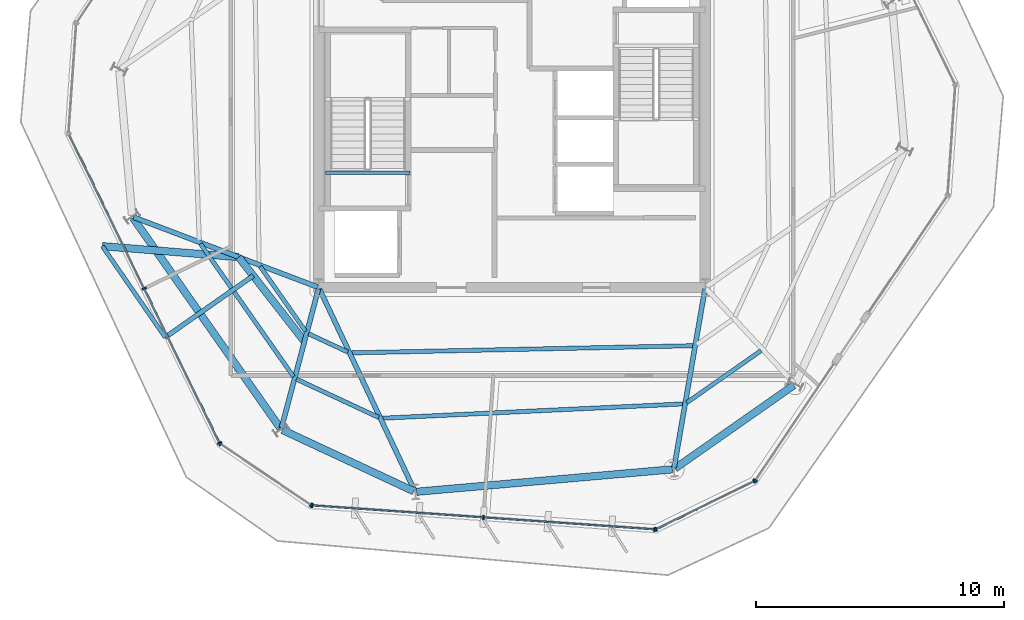
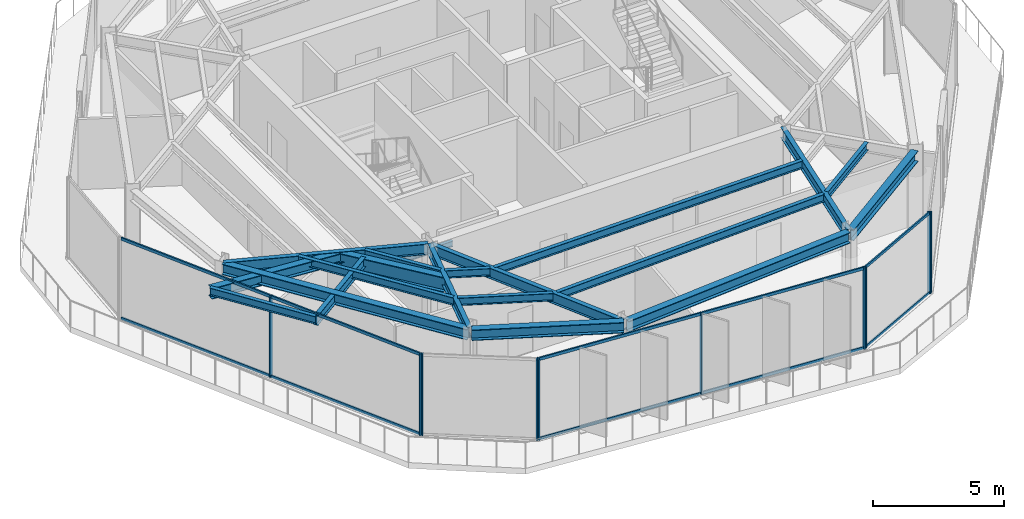
# One storey, part 2 of 12: 20 beams, 20 members, 5 elements without a shape of their own.
"""IFC4 building model written with IfcOpenShell, lengths in metres."""

from ifc_helpers import new_model, si_unit, direction, frame, origin, origin_2d, place, context, subcontext, project, spatial, rectangle, i_section, extrude, material, layer, layer_set, material_profile, profile_set, type_object, element, aggregate, save


model = new_model("IFC4")

# Units and contexts
model_context = context("Model", 3, precision=1e-05, world=origin(), true_north=direction((0.0, 1.0)))
body_context = subcontext(model_context, "Body", "Model", "MODEL_VIEW")
ifc_project = project(units=[si_unit("LENGTHUNIT", "METRE"), si_unit("AREAUNIT", "SQUARE_METRE"), si_unit("VOLUMEUNIT", "CUBIC_METRE"), si_unit("PLANEANGLEUNIT", "RADIAN"), si_unit("MASSUNIT", "GRAM", prefix="KILO")], contexts=[model_context])

# Site, building, storey
site_placement = place(None, origin())
site = spatial("IfcSite", under=ifc_project, at=site_placement, CompositionType="ELEMENT")
building_placement = place(site_placement, origin())
building = spatial("IfcBuilding", under=site, at=building_placement, Name="Kranzbogen Civic Tower", CompositionType="ELEMENT")
storey_placement = place(building_placement, frame((0.0, 0.0, 250.199951171875)))
storey = spatial("IfcBuildingStorey", under=building, at=storey_placement, Name="L60", CompositionType="ELEMENT", Elevation=250.199951171875)

# Beam
ifc_material_1 = material(Name="Steel S355", Category="steel")
ifc_material_profile_1 = material_profile(ifc_material_1, i_section(OverallWidth=0.18994140625, OverallDepth=0.449951171875, WebThickness=0.009521484375, FlangeThickness=0.0146484375, at=origin_2d()), Name="IPE 450")
ifc_profile_set_1 = profile_set([ifc_material_profile_1], Name="Steel S355")
beam_type_1 = type_object("IfcBeamType", Name="Braced Terrace Edge Beam IPE 450", PredefinedType="BEAM", material=ifc_profile_set_1)
beam_1_placement = place(storey_placement, frame((14.552978515625, 18.27587890625, 3.525146484375), z_axis=(-0.819112846039, -0.573632413183, 0.0), x_axis=(0.573632413183, -0.819112846039, 0.0)))
element("IfcBeam", 1, at=beam_1_placement, inside=storey, type_object=beam_type_1, Name="L61 back-spanned terrace beam L61-TB1-2", PredefinedType="BEAM", context=body_context, shape_type="SweptSolid", body=[
    extrude(i_section(OverallWidth=0.18994140625, OverallDepth=0.449951171875, WebThickness=0.009521484375, FlangeThickness=0.0146484375, at=origin_2d()), origin(), (0.0, 0.0, 1.0), 4.335205078125),
])

# Curtain wall, members
ifc_material_2 = material(Name="Pale Anodised Aluminium", Category="aluminium")
ifc_layer_1 = layer(ifc_material_2, 0.219970703125, Name="Pale Anodised Aluminium")
ifc_layer_set_1 = layer_set([ifc_layer_1], Name="Pale Anodised Aluminium")
curtain_wall_type_1 = type_object("IfcCurtainWallType", Name="Chamfer Facet Stick Curtain Wall System CW-06", PredefinedType="USERDEFINED", material=ifc_layer_set_1)
curtain_wall_1_placement = place(storey_placement, origin())
curtain_wall_1 = element("IfcCurtainWall", 2, at=curtain_wall_1_placement, inside=storey, type_object=curtain_wall_type_1, Name="L60 curtain wall CW-L60-C3", ObjectType="STICK CURTAIN WALL", PredefinedType="USERDEFINED")
ifc_material_profile_2 = material_profile(ifc_material_2, rectangle(XDim=0.06005859375, YDim=0.159912109375, at=origin_2d()), Name="ALU-M 60x160")
ifc_profile_set_2 = profile_set([ifc_material_profile_2], Name="Pale Anodised Aluminium")
member_type_1 = type_object("IfcMemberType", Name="Curtain Wall Mullion ALU-M 60x160", PredefinedType="MULLION", material=ifc_profile_set_2)
member_1_placement = place(storey_placement, frame((13.226806640625, 11.484130859375, 0.0), z_axis=(0.0, 0.0, 1.0), x_axis=(0.829144558925, -0.559034256915, 0.0)))
member_1 = element("IfcMember", 3, at=member_1_placement, type_object=member_type_1, Name="CW-06 mullion 1", PredefinedType="MULLION", context=body_context, shape_type="SweptSolid", body=[
    extrude(rectangle(XDim=0.06005859375, YDim=0.159912109375, at=origin_2d()), origin(), (0.0, 0.0, 1.0), 3.780029296875),
])
member_2_placement = place(storey_placement, frame((16.879150390625, 9.021728515625, 0.0), z_axis=(0.0, 0.0, 1.0), x_axis=(0.829144558925, -0.559034256915, 0.0)))
member_2 = element("IfcMember", 4, at=member_2_placement, type_object=member_type_1, Name="CW-06 mullion 2", PredefinedType="MULLION", context=body_context, shape_type="SweptSolid", body=[
    extrude(rectangle(XDim=0.06005859375, YDim=0.159912109375, at=origin_2d()), origin(), (0.0, 0.0, 1.0), 3.780029296875),
])
aggregate(curtain_wall_1, [member_1, member_2])

curtain_wall_2_placement = place(storey_placement, origin())
curtain_wall_2 = element("IfcCurtainWall", 5, at=curtain_wall_2_placement, inside=storey, type_object=curtain_wall_type_1, Name="L60 curtain wall CW-L60-C4", ObjectType="STICK CURTAIN WALL", PredefinedType="USERDEFINED")
member_3_placement = place(storey_placement, frame((30.81787109375, 8.046142578125, 0.0), z_axis=(0.0, 0.0, 1.0), x_axis=(0.898729699392, 0.438503052931, 0.0)))
member_3 = element("IfcMember", 6, at=member_3_placement, type_object=member_type_1, Name="CW-06 mullion 1", PredefinedType="MULLION", context=body_context, shape_type="SweptSolid", body=[
    extrude(rectangle(XDim=0.06005859375, YDim=0.159912109375, at=origin_2d()), origin(), (0.0, 0.0, 1.0), 3.780029296875),
])
member_4_placement = place(storey_placement, frame((34.777099609375, 9.977783203125, 0.0), z_axis=(0.0, 0.0, 1.0), x_axis=(0.898729699392, 0.438503052931, 0.0)))
member_4 = element("IfcMember", 7, at=member_4_placement, type_object=member_type_1, Name="CW-06 mullion 2", PredefinedType="MULLION", context=body_context, shape_type="SweptSolid", body=[
    extrude(rectangle(XDim=0.06005859375, YDim=0.159912109375, at=origin_2d()), origin(), (0.0, 0.0, 1.0), 3.780029296875),
])

ifc_layer_2 = layer(ifc_material_2, 0.219970703125, Name="Pale Anodised Aluminium")
ifc_layer_set_2 = layer_set([ifc_layer_2], Name="Pale Anodised Aluminium")
curtain_wall_type_2 = type_object("IfcCurtainWallType", Name="Zone 4 Stick Curtain Wall System CW-05", PredefinedType="USERDEFINED", material=ifc_layer_set_2)
curtain_wall_3_placement = place(storey_placement, origin())
curtain_wall_3 = element("IfcCurtainWall", 8, at=curtain_wall_3_placement, inside=storey, type_object=curtain_wall_type_2, Name="L60 curtain wall CW-L60-F3", ObjectType="STICK CURTAIN WALL", PredefinedType="USERDEFINED")
ifc_material_profile_3 = material_profile(ifc_material_2, rectangle(XDim=0.06494140625, YDim=0.179931640625, at=origin_2d()), Name="ALU-M 65x180")
ifc_profile_set_3 = profile_set([ifc_material_profile_3], Name="Pale Anodised Aluminium")
member_type_2 = type_object("IfcMemberType", Name="Curtain Wall Mullion ALU-M 65x180", PredefinedType="MULLION", material=ifc_profile_set_3)
member_5_placement = place(storey_placement, frame((10.15087890625, 17.757568359375, 0.0), z_axis=(0.0, 0.0, 1.0), x_axis=(0.438313241506, -0.898822286284, 0.0)))
member_5 = element("IfcMember", 9, at=member_5_placement, type_object=member_type_2, Name="CW-05 mullion 2", PredefinedType="MULLION", context=body_context, shape_type="SweptSolid", body=[
    extrude(rectangle(XDim=0.06494140625, YDim=0.179931640625, at=origin_2d()), origin(), (0.0, 0.0, 1.0), 3.780029296875),
])
member_6_placement = place(storey_placement, frame((13.18896484375, 11.528076171875, 0.0), z_axis=(0.0, 0.0, 1.0), x_axis=(0.438313241506, -0.898822286284, 0.0)))
member_6 = element("IfcMember", 10, at=member_6_placement, type_object=member_type_2, Name="CW-05 mullion 3", PredefinedType="MULLION", context=body_context, shape_type="SweptSolid", body=[
    extrude(rectangle(XDim=0.06494140625, YDim=0.179931640625, at=origin_2d()), origin(), (0.0, 0.0, 1.0), 3.780029296875),
])

curtain_wall_4_placement = place(storey_placement, origin())
curtain_wall_4 = element("IfcCurtainWall", 11, at=curtain_wall_4_placement, inside=storey, type_object=curtain_wall_type_2, Name="L60 curtain wall CW-L60-F4", ObjectType="STICK CURTAIN WALL", PredefinedType="USERDEFINED")
member_7_placement = place(storey_placement, frame((16.933837890625, 9.0029296875, 0.0), z_axis=(0.0, 0.0, 1.0), x_axis=(0.997559417469, -0.069822694158, 0.0)))
member_7 = element("IfcMember", 12, at=member_7_placement, type_object=member_type_2, Name="CW-05 mullion 1", PredefinedType="MULLION", context=body_context, shape_type="SweptSolid", body=[
    extrude(rectangle(XDim=0.06494140625, YDim=0.179931640625, at=origin_2d()), origin(), (0.0, 0.0, 1.0), 3.780029296875),
])
member_8_placement = place(storey_placement, frame((23.847412109375, 8.51904296875, 0.0), z_axis=(0.0, 0.0, 1.0), x_axis=(0.997559417469, -0.069822694158, 0.0)))
member_8 = element("IfcMember", 13, at=member_8_placement, type_object=member_type_2, Name="CW-05 mullion 2", PredefinedType="MULLION", context=body_context, shape_type="SweptSolid", body=[
    extrude(rectangle(XDim=0.06494140625, YDim=0.179931640625, at=origin_2d()), origin(), (0.0, 0.0, 1.0), 3.780029296875),
])
member_9_placement = place(storey_placement, frame((30.760986328125, 8.03515625, 0.0), z_axis=(0.0, 0.0, 1.0), x_axis=(0.997559417469, -0.069822694158, 0.0)))
member_9 = element("IfcMember", 14, at=member_9_placement, type_object=member_type_2, Name="CW-05 mullion 3", PredefinedType="MULLION", context=body_context, shape_type="SweptSolid", body=[
    extrude(rectangle(XDim=0.06494140625, YDim=0.179931640625, at=origin_2d()), origin(), (0.0, 0.0, 1.0), 3.780029296875),
])

# Curtain wall, member
curtain_wall_5_placement = place(storey_placement, origin())
curtain_wall_5 = element("IfcCurtainWall", 15, at=curtain_wall_5_placement, inside=storey, type_object=curtain_wall_type_2, Name="L60 curtain wall CW-L60-F5-S1", ObjectType="STICK CURTAIN WALL", PredefinedType="USERDEFINED")
member_10_placement = place(storey_placement, frame((34.82080078125, 10.015869140625, 0.0), z_axis=(0.0, 0.0, 1.0), x_axis=(0.559219373817, 0.829019717466, 0.0)))
member_10 = element("IfcMember", 16, at=member_10_placement, type_object=member_type_2, Name="CW-05 mullion 1", PredefinedType="MULLION", context=body_context, shape_type="SweptSolid", body=[
    extrude(rectangle(XDim=0.06494140625, YDim=0.179931640625, at=origin_2d()), origin(), (0.0, 0.0, 1.0), 3.780029296875),
])
aggregate(curtain_wall_5, [member_10])

# Member
ifc_material_profile_4 = material_profile(ifc_material_2, rectangle(XDim=0.06005859375, YDim=0.1201171875, at=origin_2d()), Name="ALU-T 60x120")
ifc_profile_set_4 = profile_set([ifc_material_profile_4], Name="Pale Anodised Aluminium")
member_type_3 = type_object("IfcMemberType", Name="Curtain Wall Transom ALU-T 60x120", PredefinedType="USERDEFINED", material=ifc_profile_set_4)
member_11_placement = place(storey_placement, frame((30.844970703125, 8.059326171875, 0.030029296875), z_axis=(0.898733881974, 0.438494480458, 0.0), x_axis=(-0.438494480458, 0.898733881974, 0.0)))
member_11 = element("IfcMember", 17, at=member_11_placement, type_object=member_type_3, Name="CW-06 transom 1.1", ObjectType="TRANSOM", PredefinedType="USERDEFINED", context=body_context, shape_type="SweptSolid", body=[
    extrude(rectangle(XDim=0.06005859375, YDim=0.1201171875, at=origin_2d()), origin(), (0.0, 0.0, 1.0), 4.344970703125),
])

member_12_placement = place(storey_placement, frame((30.844970703125, 8.059326171875, 3.75), z_axis=(0.898733881974, 0.438494480458, 0.0), x_axis=(-0.438494480458, 0.898733881974, 0.0)))
member_12 = element("IfcMember", 18, at=member_12_placement, type_object=member_type_3, Name="CW-06 transom 1.2", ObjectType="TRANSOM", PredefinedType="USERDEFINED", context=body_context, shape_type="SweptSolid", body=[
    extrude(rectangle(XDim=0.06005859375, YDim=0.1201171875, at=origin_2d()), origin(), (0.0, 0.0, 1.0), 4.344970703125),
])

aggregate(curtain_wall_2, [member_3, member_4, member_11, member_12])

ifc_material_profile_5 = material_profile(ifc_material_2, rectangle(XDim=0.06494140625, YDim=0.135009765625, at=origin_2d()), Name="ALU-T 65x135")
ifc_profile_set_5 = profile_set([ifc_material_profile_5], Name="Pale Anodised Aluminium")
member_type_4 = type_object("IfcMemberType", Name="Curtain Wall Transom ALU-T 65x135", PredefinedType="USERDEFINED", material=ifc_profile_set_5)
member_13_placement = place(storey_placement, frame((7.126220703125, 23.9599609375, 0.030029296875), z_axis=(0.438336820516, -0.89881078753, 0.0), x_axis=(0.89881078753, 0.438336820516, 0.0)))
member_13 = element("IfcMember", 19, at=member_13_placement, type_object=member_type_4, Name="CW-05 transom 1.1", ObjectType="TRANSOM", PredefinedType="USERDEFINED", context=body_context, shape_type="SweptSolid", body=[
    extrude(rectangle(XDim=0.06494140625, YDim=0.135009765625, at=origin_2d()), origin(), (0.0, 0.0, 1.0), 6.870849609375),
])

member_14_placement = place(storey_placement, frame((7.126220703125, 23.9599609375, 3.75), z_axis=(0.438336820516, -0.89881078753, 0.0), x_axis=(0.89881078753, 0.438336820516, 0.0)))
member_14 = element("IfcMember", 20, at=member_14_placement, type_object=member_type_4, Name="CW-05 transom 1.2", ObjectType="TRANSOM", PredefinedType="USERDEFINED", context=body_context, shape_type="SweptSolid", body=[
    extrude(rectangle(XDim=0.06494140625, YDim=0.135009765625, at=origin_2d()), origin(), (0.0, 0.0, 1.0), 6.870849609375),
])

member_15_placement = place(storey_placement, frame((10.1640625, 17.73046875, 0.030029296875), z_axis=(0.438336820516, -0.89881078753, 0.0), x_axis=(0.89881078753, 0.438336820516, 0.0)))
member_15 = element("IfcMember", 21, at=member_15_placement, type_object=member_type_4, Name="CW-05 transom 2.1", ObjectType="TRANSOM", PredefinedType="USERDEFINED", context=body_context, shape_type="SweptSolid", body=[
    extrude(rectangle(XDim=0.06494140625, YDim=0.135009765625, at=origin_2d()), origin(), (0.0, 0.0, 1.0), 6.870849609375),
])

member_16_placement = place(storey_placement, frame((10.1640625, 17.73046875, 3.75), z_axis=(0.438336820516, -0.89881078753, 0.0), x_axis=(0.89881078753, 0.438336820516, 0.0)))
member_16 = element("IfcMember", 22, at=member_16_placement, type_object=member_type_4, Name="CW-05 transom 2.2", ObjectType="TRANSOM", PredefinedType="USERDEFINED", context=body_context, shape_type="SweptSolid", body=[
    extrude(rectangle(XDim=0.06494140625, YDim=0.135009765625, at=origin_2d()), origin(), (0.0, 0.0, 1.0), 6.870849609375),
])

aggregate(curtain_wall_3, [member_5, member_6, member_13, member_14, member_15, member_16])

member_17_placement = place(storey_placement, frame((16.9638671875, 9.000732421875, 0.030029296875), z_axis=(0.997559239415, -0.069825237967, 0.0), x_axis=(0.069825237967, 0.997559239415, 0.0)))
member_17 = element("IfcMember", 23, at=member_17_placement, type_object=member_type_4, Name="CW-05 transom 1.1", ObjectType="TRANSOM", PredefinedType="USERDEFINED", context=body_context, shape_type="SweptSolid", body=[
    extrude(rectangle(XDim=0.06494140625, YDim=0.135009765625, at=origin_2d()), origin(), (0.0, 0.0, 1.0), 6.87060546875),
])

member_18_placement = place(storey_placement, frame((16.9638671875, 9.000732421875, 3.75), z_axis=(0.997559239415, -0.069825237967, 0.0), x_axis=(0.069825237967, 0.997559239415, 0.0)))
member_18 = element("IfcMember", 24, at=member_18_placement, type_object=member_type_4, Name="CW-05 transom 1.2", ObjectType="TRANSOM", PredefinedType="USERDEFINED", context=body_context, shape_type="SweptSolid", body=[
    extrude(rectangle(XDim=0.06494140625, YDim=0.135009765625, at=origin_2d()), origin(), (0.0, 0.0, 1.0), 6.87060546875),
])

member_19_placement = place(storey_placement, frame((23.87744140625, 8.516845703125, 0.030029296875), z_axis=(0.997559239415, -0.069825237967, 0.0), x_axis=(0.069825237967, 0.997559239415, 0.0)))
member_19 = element("IfcMember", 25, at=member_19_placement, type_object=member_type_4, Name="CW-05 transom 2.1", ObjectType="TRANSOM", PredefinedType="USERDEFINED", context=body_context, shape_type="SweptSolid", body=[
    extrude(rectangle(XDim=0.06494140625, YDim=0.135009765625, at=origin_2d()), origin(), (0.0, 0.0, 1.0), 6.87060546875),
])

member_20_placement = place(storey_placement, frame((23.87744140625, 8.516845703125, 3.75), z_axis=(0.997559239415, -0.069825237967, 0.0), x_axis=(0.069825237967, 0.997559239415, 0.0)))
member_20 = element("IfcMember", 26, at=member_20_placement, type_object=member_type_4, Name="CW-05 transom 2.2", ObjectType="TRANSOM", PredefinedType="USERDEFINED", context=body_context, shape_type="SweptSolid", body=[
    extrude(rectangle(XDim=0.06494140625, YDim=0.135009765625, at=origin_2d()), origin(), (0.0, 0.0, 1.0), 6.87060546875),
])

aggregate(curtain_wall_4, [member_7, member_8, member_9, member_17, member_18, member_19, member_20])

# Beams
ifc_material_profile_6 = material_profile(ifc_material_1, i_section(OverallWidth=0.300048828125, OverallDepth=0.5, WebThickness=0.014404296875, FlangeThickness=0.028076171875, at=origin_2d()), Name="HEB 500")
ifc_profile_set_6 = profile_set([ifc_material_profile_6], Name="Steel S355")
beam_type_2 = type_object("IfcBeamType", Name="Perimeter Tube Spandrel Beam HEB 500", PredefinedType="SPANDREL", material=ifc_profile_set_6)
beam_2_placement = place(storey_placement, frame((9.699951171875, 20.612060546875, 3.530029296875), z_axis=(0.573577759301, -0.819151117948, 0.0), x_axis=(0.819151117948, 0.573577759301, 0.0)))
element("IfcBeam", 27, at=beam_2_placement, inside=storey, type_object=beam_type_2, Name="L60 perimeter spandrel beam 01", PredefinedType="SPANDREL", context=body_context, shape_type="SweptSolid", body=[
    extrude(i_section(OverallWidth=0.300048828125, OverallDepth=0.5, WebThickness=0.014404296875, FlangeThickness=0.028076171875, at=origin_2d()), origin(), (0.0, 0.0, 1.0), 10.36328125),
])
beam_3_placement = place(storey_placement, frame((15.73193359375, 12.049072265625, 3.530029296875), z_axis=(0.906289661556, -0.422657129784, 0.0), x_axis=(0.422657129784, 0.906289661556, 0.0)))
element("IfcBeam", 28, at=beam_3_placement, inside=storey, type_object=beam_type_2, Name="L60 perimeter spandrel beam 02", PredefinedType="SPANDREL", context=body_context, shape_type="SweptSolid", body=[
    extrude(i_section(OverallWidth=0.300048828125, OverallDepth=0.5, WebThickness=0.014404296875, FlangeThickness=0.028076171875, at=origin_2d()), origin(), (0.0, 0.0, 1.0), 5.853759765625),
])
beam_4_placement = place(storey_placement, frame((21.15087890625, 9.554931640625, 3.530029296875), z_axis=(0.996186373839, 0.087250837114, 0.0), x_axis=(-0.087250837114, 0.996186373839, 0.0)))
element("IfcBeam", 29, at=beam_4_placement, inside=storey, type_object=beam_type_2, Name="L60 perimeter spandrel beam 03", PredefinedType="SPANDREL", context=body_context, shape_type="SweptSolid", body=[
    extrude(i_section(OverallWidth=0.300048828125, OverallDepth=0.5, WebThickness=0.014404296875, FlangeThickness=0.028076171875, at=origin_2d()), origin(), (0.0, 0.0, 1.0), 10.361572265625),
])
beam_5_placement = place(storey_placement, frame((31.58203125, 10.498046875, 3.530029296875), z_axis=(0.819059436004, 0.57370867197, 0.0), x_axis=(-0.57370867197, 0.819059436004, 0.0)))
element("IfcBeam", 30, at=beam_5_placement, inside=storey, type_object=beam_type_2, Name="L60 perimeter spandrel beam 04", PredefinedType="SPANDREL", context=body_context, shape_type="SweptSolid", body=[
    extrude(i_section(OverallWidth=0.300048828125, OverallDepth=0.5, WebThickness=0.014404296875, FlangeThickness=0.028076171875, at=origin_2d()), origin(), (0.0, 0.0, 1.0), 5.85302734375),
])
beam_6_placement = place(storey_placement, frame((13.966064453125, 19.028076171875, 3.5), z_axis=(-0.996804299094, 0.079882346653, 0.0), x_axis=(-0.079882346653, -0.996804299094, 0.0)))
element("IfcBeam", 31, at=beam_6_placement, inside=storey, type_object=beam_type_2, Name="L61 back-spanned terrace beam L61-TB1-1", PredefinedType="SPANDREL", context=body_context, shape_type="SweptSolid", body=[
    extrude(i_section(OverallWidth=0.300048828125, OverallDepth=0.5, WebThickness=0.014404296875, FlangeThickness=0.028076171875, at=origin_2d()), origin(), (0.0, 0.0, 1.0), 5.51953125),
])
ifc_material_profile_7 = material_profile(ifc_material_1, i_section(OverallWidth=0.300048828125, OverallDepth=0.699951171875, WebThickness=0.01708984375, FlangeThickness=0.031982421875, at=origin_2d()), Name="HEB 700")
ifc_profile_set_7 = profile_set([ifc_material_profile_7], Name="Steel S355")
beam_type_3 = type_object("IfcBeamType", Name="Perimeter Tube Spandrel Beam HEB 700", PredefinedType="SPANDREL", material=ifc_profile_set_7)
beam_7_placement = place(storey_placement, frame((13.966064453125, 19.028076171875, 3.400146484375), z_axis=(0.615153431403, -0.788407417414, 0.0), x_axis=(0.788407417414, 0.615153431403, 0.0)))
element("IfcBeam", 32, at=beam_7_placement, inside=storey, type_object=beam_type_3, Name="L61 balcony back-span header girder L61-TB1", PredefinedType="SPANDREL", context=body_context, shape_type="SweptSolid", body=[
    extrude(i_section(OverallWidth=0.300048828125, OverallDepth=0.699951171875, WebThickness=0.01708984375, FlangeThickness=0.031982421875, at=origin_2d()), origin(), (0.0, 0.0, 1.0), 4.317626953125),
])
ifc_material_profile_8 = material_profile(ifc_material_1, i_section(OverallWidth=0.199951171875, OverallDepth=0.5, WebThickness=0.01025390625, FlangeThickness=0.01611328125, at=origin_2d()), Name="IPE 500")
ifc_profile_set_8 = profile_set([ifc_material_profile_8], Name="Steel S355")
beam_type_4 = type_object("IfcBeamType", Name="Radial Tower Floor Girder IPE 500", PredefinedType="BEAM", material=ifc_profile_set_8)
beam_8_placement = place(storey_placement, frame((9.721923828125, 20.639892578125, 3.530029296875), z_axis=(0.934848709689, -0.355046320913, 0.0), x_axis=(0.355046320913, 0.934848709689, 0.0)))
element("IfcBeam", 33, at=beam_8_placement, inside=storey, type_object=beam_type_4, Name="L60 radial floor girder 01", PredefinedType="BEAM", context=body_context, shape_type="SweptSolid", body=[
    extrude(i_section(OverallWidth=0.199951171875, OverallDepth=0.5, WebThickness=0.01025390625, FlangeThickness=0.01611328125, at=origin_2d()), origin(), (0.0, 0.0, 1.0), 7.939453125),
])
beam_9_placement = place(storey_placement, frame((15.693115234375, 12.132080078125, 3.530029296875), z_axis=(0.257016017622, 0.966407143333, 0.0), x_axis=(-0.966407143333, 0.257016017622, 0.0)))
element("IfcBeam", 34, at=beam_9_placement, inside=storey, type_object=beam_type_4, Name="L60 radial floor girder 02", PredefinedType="BEAM", context=body_context, shape_type="SweptSolid", body=[
    extrude(i_section(OverallWidth=0.199951171875, OverallDepth=0.5, WebThickness=0.01025390625, FlangeThickness=0.01611328125, at=origin_2d()), origin(), (0.0, 0.0, 1.0), 5.804931640625),
])
beam_10_placement = place(storey_placement, frame((21.06494140625, 9.60400390625, 3.530029296875), z_axis=(-0.426460441273, 0.904506214478, 0.0), x_axis=(-0.904506214478, -0.426460441273, 0.0)))
element("IfcBeam", 35, at=beam_10_placement, inside=storey, type_object=beam_type_4, Name="L60 radial floor girder 03", PredefinedType="BEAM", context=body_context, shape_type="SweptSolid", body=[
    extrude(i_section(OverallWidth=0.199951171875, OverallDepth=0.5, WebThickness=0.01025390625, FlangeThickness=0.01611328125, at=origin_2d()), origin(), (0.0, 0.0, 1.0), 9.001708984375),
])
beam_11_placement = place(storey_placement, frame((31.54296875, 10.52294921875, 3.530029296875), z_axis=(0.170249558486, 0.985400978199, 0.0), x_axis=(-0.985400978199, 0.170249558486, 0.0)))
element("IfcBeam", 36, at=beam_11_placement, inside=storey, type_object=beam_type_4, Name="L60 radial floor girder 04", PredefinedType="BEAM", context=body_context, shape_type="SweptSolid", body=[
    extrude(i_section(OverallWidth=0.199951171875, OverallDepth=0.5, WebThickness=0.01025390625, FlangeThickness=0.01611328125, at=origin_2d()), origin(), (0.0, 0.0, 1.0), 7.324951171875),
])
ifc_material_profile_9 = material_profile(ifc_material_1, i_section(OverallWidth=0.169921875, OverallDepth=0.360107421875, WebThickness=0.008056640625, FlangeThickness=0.0126953125, at=origin_2d()), Name="IPE 360")
ifc_profile_set_9 = profile_set([ifc_material_profile_9], Name="Steel S355")
beam_type_5 = type_object("IfcBeamType", Name="Secondary Composite Floor Joist IPE 360", PredefinedType="JOIST", material=ifc_profile_set_9)
beam_12_placement = place(storey_placement, frame((12.424072265625, 19.56591796875, 3.60009765625), z_axis=(0.573499872939, -0.819205649235, 0.0), x_axis=(0.819205649235, 0.573499872939, 0.0)))
element("IfcBeam", 37, at=beam_12_placement, inside=storey, type_object=beam_type_5, Name="L60 secondary floor joist 1.01", PredefinedType="JOIST", context=body_context, shape_type="SweptSolid", body=[
    extrude(i_section(OverallWidth=0.169921875, OverallDepth=0.360107421875, WebThickness=0.008056640625, FlangeThickness=0.0126953125, at=origin_2d()), origin(), (0.0, 0.0, 1.0), 6.549072265625),
])
beam_13_placement = place(storey_placement, frame((14.8349609375, 18.64990234375, 3.60009765625), z_axis=(0.573498248491, -0.819206786457, 0.0), x_axis=(0.819206786457, 0.573498248491, 0.0)))
element("IfcBeam", 38, at=beam_13_placement, inside=storey, type_object=beam_type_5, Name="L60 secondary floor joist 2.01", PredefinedType="JOIST", context=body_context, shape_type="SweptSolid", body=[
    extrude(i_section(OverallWidth=0.169921875, OverallDepth=0.360107421875, WebThickness=0.008056640625, FlangeThickness=0.0126953125, at=origin_2d()), origin(), (0.0, 0.0, 1.0), 3.194580078125),
])
beam_14_placement = place(storey_placement, frame((16.298095703125, 14.10205078125, 3.60009765625), z_axis=(0.906303996948, -0.422626389517, 0.0), x_axis=(0.422626389517, 0.906303996948, 0.0)))
element("IfcBeam", 39, at=beam_14_placement, inside=storey, type_object=beam_type_5, Name="L60 secondary floor joist 1.02", PredefinedType="JOIST", context=body_context, shape_type="SweptSolid", body=[
    extrude(i_section(OverallWidth=0.169921875, OverallDepth=0.360107421875, WebThickness=0.008056640625, FlangeThickness=0.0126953125, at=origin_2d()), origin(), (0.0, 0.0, 1.0), 3.6630859375),
])
beam_15_placement = place(storey_placement, frame((16.784912109375, 15.93408203125, 3.60009765625), z_axis=(0.906432174342, -0.422351409751, 0.0), x_axis=(0.422351409751, 0.906432174342, 0.0)))
element("IfcBeam", 40, at=beam_15_placement, inside=storey, type_object=beam_type_5, Name="L60 secondary floor joist 2.02", PredefinedType="JOIST", context=body_context, shape_type="SweptSolid", body=[
    extrude(i_section(OverallWidth=0.169921875, OverallDepth=0.360107421875, WebThickness=0.008056640625, FlangeThickness=0.0126953125, at=origin_2d()), origin(), (0.0, 0.0, 1.0), 1.751953125),
])
beam_16_placement = place(storey_placement, frame((19.77001953125, 12.52392578125, 3.60009765625), z_axis=(0.998871634781, 0.047491654324, 0.0), x_axis=(-0.047491654324, 0.998871634781, 0.0)))
element("IfcBeam", 41, at=beam_16_placement, inside=storey, type_object=beam_type_5, Name="L60 secondary floor joist 1.03", PredefinedType="JOIST", context=body_context, shape_type="SweptSolid", body=[
    extrude(i_section(OverallWidth=0.169921875, OverallDepth=0.360107421875, WebThickness=0.008056640625, FlangeThickness=0.0126953125, at=origin_2d()), origin(), (0.0, 0.0, 1.0), 12.152587890625),
])
beam_17_placement = place(storey_placement, frame((18.52490234375, 15.162109375, 3.60009765625), z_axis=(0.999780746893, 0.020939392104, 0.0), x_axis=(-0.020939392104, 0.999780746893, 0.0)))
element("IfcBeam", 42, at=beam_17_placement, inside=storey, type_object=beam_type_5, Name="L60 secondary floor joist 2.03", PredefinedType="JOIST", context=body_context, shape_type="SweptSolid", body=[
    extrude(i_section(OverallWidth=0.169921875, OverallDepth=0.360107421875, WebThickness=0.008056640625, FlangeThickness=0.0126953125, at=origin_2d()), origin(), (0.0, 0.0, 1.0), 13.79296875),
])
beam_18_placement = place(storey_placement, frame((32.054931640625, 13.15087890625, 3.60009765625), z_axis=(0.819006333711, 0.573784476385, 0.0), x_axis=(-0.573784476385, 0.819006333711, 0.0)))
element("IfcBeam", 43, at=beam_18_placement, inside=storey, type_object=beam_type_5, Name="L60 secondary floor joist 1.04", PredefinedType="JOIST", context=body_context, shape_type="SweptSolid", body=[
    extrude(i_section(OverallWidth=0.169921875, OverallDepth=0.360107421875, WebThickness=0.008056640625, FlangeThickness=0.0126953125, at=origin_2d()), origin(), (0.0, 0.0, 1.0), 3.661865234375),
])
beam_19_placement = place(storey_placement, frame((8.464111328125, 19.468994140625, 3.570068359375), z_axis=(0.56772657446, -0.823217186805, 0.0), x_axis=(0.823217186805, 0.56772657446, 0.0)))
element("IfcBeam", 44, at=beam_19_placement, inside=storey, type_object=beam_type_5, Name="L61 terrace outer edge trimmer L61-TB1", PredefinedType="JOIST", context=body_context, shape_type="SweptSolid", body=[
    extrude(i_section(OverallWidth=0.169921875, OverallDepth=0.360107421875, WebThickness=0.008056640625, FlangeThickness=0.0126953125, at=origin_2d()), origin(), (0.0, 0.0, 1.0), 4.47021484375),
])
ifc_material_profile_10 = material_profile(ifc_material_1, i_section(OverallWidth=0.135009765625, OverallDepth=0.27001953125, WebThickness=0.006591796875, FlangeThickness=0.01025390625, at=origin_2d()), Name="IPE 270")
ifc_profile_set_10 = profile_set([ifc_material_profile_10], Name="Steel S355")
beam_type_6 = type_object("IfcBeamType", Name="Stair Landing Support Beam IPE 270", PredefinedType="JOIST", material=ifc_profile_set_10)
beam_20_placement = place(storey_placement, frame((20.8798828125, 22.43994140625, -0.35498046875), z_axis=(-1.0, 0.0, 0.0), x_axis=(0.0, -1.0, 0.0)))
element("IfcBeam", 45, at=beam_20_placement, inside=storey, type_object=beam_type_6, Name="L60 ST-T1 stair floor header beam", PredefinedType="JOIST", context=body_context, shape_type="SweptSolid", body=[
    extrude(i_section(OverallWidth=0.135009765625, OverallDepth=0.27001953125, WebThickness=0.006591796875, FlangeThickness=0.01025390625, at=origin_2d()), origin(), (0.0, 0.0, 1.0), 3.409912109375),
])

save(model, "model.ifc")
